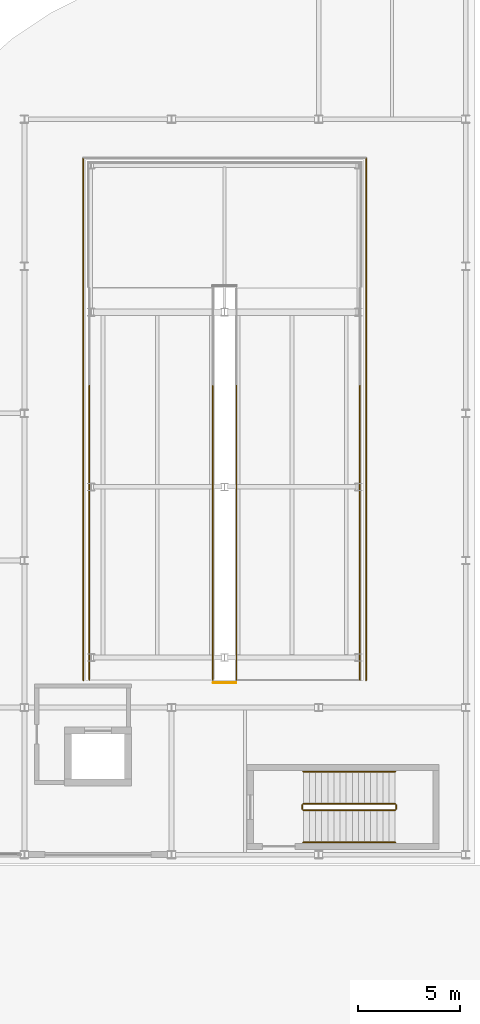
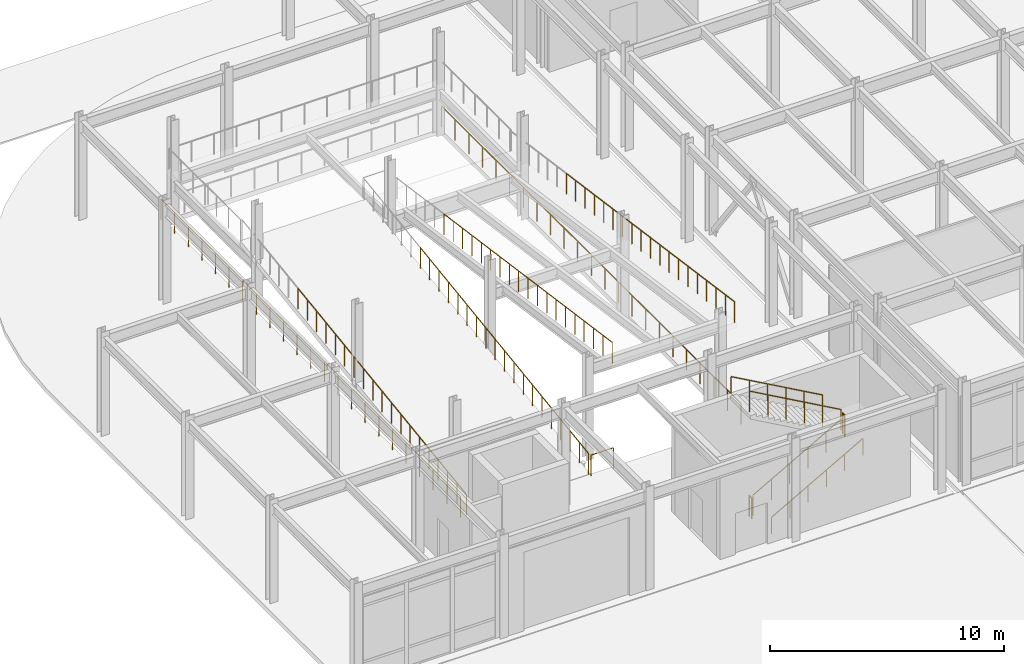
# One storey, part 89 of 104: 21 railings.
"""IFC4 building model written with IfcOpenShell, lengths in metres."""

from ifc_helpers import new_model, si_unit, direction, frame, origin, origin_2d, place, context, subcontext, project, spatial, circle, extrude, material, layer, layer_set, type_object, element, save


model = new_model("IFC4")

# Units and contexts
model_context = context("Model", 3, precision=1e-05, world=origin(), true_north=direction((0.0, 1.0)))
body_context = subcontext(model_context, "Body", "Model", "MODEL_VIEW")
ifc_project = project(units=[si_unit("LENGTHUNIT", "METRE"), si_unit("AREAUNIT", "SQUARE_METRE"), si_unit("VOLUMEUNIT", "CUBIC_METRE"), si_unit("PLANEANGLEUNIT", "RADIAN"), si_unit("MASSUNIT", "GRAM", prefix="KILO")], contexts=[model_context])

# Site, building, storey
site_placement = place(None, origin())
site = spatial("IfcSite", under=ifc_project, at=site_placement, CompositionType="ELEMENT")
building_placement = place(site_placement, origin())
building = spatial("IfcBuilding", under=site, at=building_placement, Name="Vaelcorin Mobility Hub", CompositionType="ELEMENT")
storey_placement = place(building_placement, origin())
storey = spatial("IfcBuildingStorey", under=building, at=storey_placement, Name="L00", CompositionType="ELEMENT", Elevation=0.0)

# Railings
ifc_material_1 = material(Name="Galvanised structural steel ASTM A36", Category="steel")
ifc_layer_1 = layer(ifc_material_1, 0.070068359375)
ifc_layer_set_1 = layer_set([ifc_layer_1], Name="Galvanised structural steel ASTM A36")
railing_type_1 = type_object("IfcRailingType", Name="RL-GUARD-1100", PredefinedType="BALUSTRADE", material=ifc_layer_set_1)
railing_1_placement = place(storey_placement, frame((22.449951171875, 85.219970703125, 0.0)))
element("IfcRailing", 1, at=railing_1_placement, inside=storey, type_object=railing_type_1, Name="L00 Perimeter Guard GR-V2W-L00-WELL-MED-01", PredefinedType="BALUSTRADE", context=body_context, shape_type="SweptSolid", body=[
    extrude(circle(Radius=0.02392578125, at=origin_2d()), frame((0.0, 0.0, 1.076171875), z_axis=(1.0, 0.0, 0.0), x_axis=(0.0, 1.0, 0.0)), (0.0, 0.0, 1.0), 1.10009765625),
    extrude(circle(Radius=0.02099609375, at=origin_2d()), origin(), (0.0, 0.0, 1.0), 1.052001953125),
    extrude(circle(Radius=0.02099609375, at=origin_2d()), frame((1.10009765625, 0.0, 0.0)), (0.0, 0.0, 1.0), 1.052001953125),
])
railing_2_placement = place(storey_placement, frame((16.080078125, 85.340087890625, 0.0)))
element("IfcRailing", 2, at=railing_2_placement, inside=storey, type_object=railing_type_1, Name="L00 Perimeter Guard GR-V2W-L00-WELL-01", PredefinedType="BALUSTRADE", context=body_context, shape_type="SweptSolid", body=[
    extrude(circle(Radius=0.02392578125, at=origin_2d()), frame((0.0, 0.0, 1.076171875), z_axis=(0.0, 1.0, 0.0), x_axis=(-1.0, 0.0, 0.0)), (0.0, 0.0, 1.0), 25.579833984375),
    extrude(circle(Radius=0.02099609375, at=origin_2d()), origin(), (0.0, 0.0, 1.0), 1.052001953125),
    extrude(circle(Radius=0.02099609375, at=origin_2d()), frame((0.0, 1.16259765625, 0.0)), (0.0, 0.0, 1.0), 1.052001953125),
    extrude(circle(Radius=0.02099609375, at=origin_2d()), frame((0.0, 2.325439453125, 0.0)), (0.0, 0.0, 1.0), 1.052001953125),
    extrude(circle(Radius=0.02099609375, at=origin_2d()), frame((0.0, 3.488037109375, 0.0)), (0.0, 0.0, 1.0), 1.052001953125),
    extrude(circle(Radius=0.02099609375, at=origin_2d()), frame((0.0, 4.65087890625, 0.0)), (0.0, 0.0, 1.0), 1.052001953125),
    extrude(circle(Radius=0.02099609375, at=origin_2d()), frame((0.0, 5.8134765625, 0.0)), (0.0, 0.0, 1.0), 1.052001953125),
    extrude(circle(Radius=0.02099609375, at=origin_2d()), frame((0.0, 6.976318359375, 0.0)), (0.0, 0.0, 1.0), 1.052001953125),
    extrude(circle(Radius=0.02099609375, at=origin_2d()), frame((0.0, 8.13916015625, 0.0)), (0.0, 0.0, 1.0), 1.052001953125),
    extrude(circle(Radius=0.02099609375, at=origin_2d()), frame((0.0, 9.3017578125, 0.0)), (0.0, 0.0, 1.0), 1.052001953125),
    extrude(circle(Radius=0.02099609375, at=origin_2d()), frame((0.0, 10.46435546875, 0.0)), (0.0, 0.0, 1.0), 1.052001953125),
    extrude(circle(Radius=0.02099609375, at=origin_2d()), frame((0.0, 11.627197265625, 0.0)), (0.0, 0.0, 1.0), 1.052001953125),
    extrude(circle(Radius=0.02099609375, at=origin_2d()), frame((0.0, 12.7900390625, 0.0)), (0.0, 0.0, 1.0), 1.052001953125),
    extrude(circle(Radius=0.02099609375, at=origin_2d()), frame((0.0, 13.95263671875, 0.0)), (0.0, 0.0, 1.0), 1.052001953125),
    extrude(circle(Radius=0.02099609375, at=origin_2d()), frame((0.0, 15.115234375, 0.0)), (0.0, 0.0, 1.0), 1.052001953125),
    extrude(circle(Radius=0.02099609375, at=origin_2d()), frame((0.0, 16.278076171875, 0.0)), (0.0, 0.0, 1.0), 1.052001953125),
    extrude(circle(Radius=0.02099609375, at=origin_2d()), frame((0.0, 17.44091796875, 0.0)), (0.0, 0.0, 1.0), 1.052001953125),
    extrude(circle(Radius=0.02099609375, at=origin_2d()), frame((0.0, 18.603515625, 0.0)), (0.0, 0.0, 1.0), 1.052001953125),
    extrude(circle(Radius=0.02099609375, at=origin_2d()), frame((0.0, 19.76611328125, 0.0)), (0.0, 0.0, 1.0), 1.052001953125),
    extrude(circle(Radius=0.02099609375, at=origin_2d()), frame((0.0, 20.928955078125, 0.0)), (0.0, 0.0, 1.0), 1.052001953125),
    extrude(circle(Radius=0.02099609375, at=origin_2d()), frame((0.0, 22.091796875, 0.0)), (0.0, 0.0, 1.0), 1.052001953125),
    extrude(circle(Radius=0.02099609375, at=origin_2d()), frame((0.0, 23.25439453125, 0.0)), (0.0, 0.0, 1.0), 1.052001953125),
    extrude(circle(Radius=0.02099609375, at=origin_2d()), frame((0.0, 24.4169921875, 0.0)), (0.0, 0.0, 1.0), 1.052001953125),
    extrude(circle(Radius=0.02099609375, at=origin_2d()), frame((0.0, 25.579833984375, 0.0)), (0.0, 0.0, 1.0), 1.052001953125),
])
railing_3_placement = place(storey_placement, frame((29.919921875, 110.919921875, 0.0)))
element("IfcRailing", 3, at=railing_3_placement, inside=storey, type_object=railing_type_1, Name="L00 Perimeter Guard GR-V2W-L00-WELL-03", PredefinedType="BALUSTRADE", context=body_context, shape_type="SweptSolid", body=[
    extrude(circle(Radius=0.02392578125, at=origin_2d()), frame((0.0, 0.0, 1.076171875), z_axis=(0.0, -1.0, 0.0), x_axis=(1.0, 0.0, 0.0)), (0.0, 0.0, 1.0), 25.579833984375),
    extrude(circle(Radius=0.02099609375, at=origin_2d()), origin(), (0.0, 0.0, 1.0), 1.052001953125),
    extrude(circle(Radius=0.02099609375, at=origin_2d()), frame((0.0, -1.16259765625, 0.0)), (0.0, 0.0, 1.0), 1.052001953125),
    extrude(circle(Radius=0.02099609375, at=origin_2d()), frame((0.0, -2.325439453125, 0.0)), (0.0, 0.0, 1.0), 1.052001953125),
    extrude(circle(Radius=0.02099609375, at=origin_2d()), frame((0.0, -3.488037109375, 0.0)), (0.0, 0.0, 1.0), 1.052001953125),
    extrude(circle(Radius=0.02099609375, at=origin_2d()), frame((0.0, -4.65087890625, 0.0)), (0.0, 0.0, 1.0), 1.052001953125),
    extrude(circle(Radius=0.02099609375, at=origin_2d()), frame((0.0, -5.8134765625, 0.0)), (0.0, 0.0, 1.0), 1.052001953125),
    extrude(circle(Radius=0.02099609375, at=origin_2d()), frame((0.0, -6.976318359375, 0.0)), (0.0, 0.0, 1.0), 1.052001953125),
    extrude(circle(Radius=0.02099609375, at=origin_2d()), frame((0.0, -8.13916015625, 0.0)), (0.0, 0.0, 1.0), 1.052001953125),
    extrude(circle(Radius=0.02099609375, at=origin_2d()), frame((0.0, -9.3017578125, 0.0)), (0.0, 0.0, 1.0), 1.052001953125),
    extrude(circle(Radius=0.02099609375, at=origin_2d()), frame((0.0, -10.46435546875, 0.0)), (0.0, 0.0, 1.0), 1.052001953125),
    extrude(circle(Radius=0.02099609375, at=origin_2d()), frame((0.0, -11.627197265625, 0.0)), (0.0, 0.0, 1.0), 1.052001953125),
    extrude(circle(Radius=0.02099609375, at=origin_2d()), frame((0.0, -12.7900390625, 0.0)), (0.0, 0.0, 1.0), 1.052001953125),
    extrude(circle(Radius=0.02099609375, at=origin_2d()), frame((0.0, -13.95263671875, 0.0)), (0.0, 0.0, 1.0), 1.052001953125),
    extrude(circle(Radius=0.02099609375, at=origin_2d()), frame((0.0, -15.115234375, 0.0)), (0.0, 0.0, 1.0), 1.052001953125),
    extrude(circle(Radius=0.02099609375, at=origin_2d()), frame((0.0, -16.278076171875, 0.0)), (0.0, 0.0, 1.0), 1.052001953125),
    extrude(circle(Radius=0.02099609375, at=origin_2d()), frame((0.0, -17.44091796875, 0.0)), (0.0, 0.0, 1.0), 1.052001953125),
    extrude(circle(Radius=0.02099609375, at=origin_2d()), frame((0.0, -18.603515625, 0.0)), (0.0, 0.0, 1.0), 1.052001953125),
    extrude(circle(Radius=0.02099609375, at=origin_2d()), frame((0.0, -19.76611328125, 0.0)), (0.0, 0.0, 1.0), 1.052001953125),
    extrude(circle(Radius=0.02099609375, at=origin_2d()), frame((0.0, -20.928955078125, 0.0)), (0.0, 0.0, 1.0), 1.052001953125),
    extrude(circle(Radius=0.02099609375, at=origin_2d()), frame((0.0, -22.091796875, 0.0)), (0.0, 0.0, 1.0), 1.052001953125),
    extrude(circle(Radius=0.02099609375, at=origin_2d()), frame((0.0, -23.25439453125, 0.0)), (0.0, 0.0, 1.0), 1.052001953125),
    extrude(circle(Radius=0.02099609375, at=origin_2d()), frame((0.0, -24.4169921875, 0.0)), (0.0, 0.0, 1.0), 1.052001953125),
    extrude(circle(Radius=0.02099609375, at=origin_2d()), frame((0.0, -25.579833984375, 0.0)), (0.0, 0.0, 1.0), 1.052001953125),
])
for number, where, name in (
    (4, (16.3798828125, 85.360107421875, 0.0), "L00 Ramp Guard GR-V2W-L00-FL1-W-01"),
    (5, (16.3798828125, 90.155029296875, 0.675048828125), "L00 Ramp Guard GR-V2W-L00-FL1-W-02"),
):
    element("IfcRailing", number, at=place(storey_placement, frame(where)), inside=storey, type_object=railing_type_1, Name=name, PredefinedType="BALUSTRADE", context=body_context, shape_type="SweptSolid", body=[
        extrude(circle(Radius=0.02392578125, at=origin_2d()), frame((0.0, 0.0, 1.076171875), z_axis=(0.0, 0.990234839535, 0.139409334588), x_axis=(-1.0, 0.0, 0.0)), (0.0, 0.0, 1.0), 4.84228515625),
        extrude(circle(Radius=0.02099609375, at=origin_2d()), origin(), (0.0, 0.0, 1.0), 1.052001953125),
        extrude(circle(Radius=0.02099609375, at=origin_2d()), frame((0.0, 0.799072265625, 0.112548828125)), (0.0, 0.0, 1.0), 1.052001953125),
        extrude(circle(Radius=0.02099609375, at=origin_2d()), frame((0.0, 1.598388671875, 0.22509765625)), (0.0, 0.0, 1.0), 1.052001953125),
        extrude(circle(Radius=0.02099609375, at=origin_2d()), frame((0.0, 2.3974609375, 0.33740234375)), (0.0, 0.0, 1.0), 1.052001953125),
        extrude(circle(Radius=0.02099609375, at=origin_2d()), frame((0.0, 3.196533203125, 0.449951171875)), (0.0, 0.0, 1.0), 1.052001953125),
        extrude(circle(Radius=0.02099609375, at=origin_2d()), frame((0.0, 3.995849609375, 0.5625)), (0.0, 0.0, 1.0), 1.052001953125),
        extrude(circle(Radius=0.02099609375, at=origin_2d()), frame((0.0, 4.794921875, 0.675048828125)), (0.0, 0.0, 1.0), 1.052001953125),
    ])
railing_4_placement = place(storey_placement, frame((16.3798828125, 94.949951171875, 1.35009765625)))
element("IfcRailing", 6, at=railing_4_placement, inside=storey, type_object=railing_type_1, Name="L00 Ramp Guard GR-V2W-L00-FL1-W-03", PredefinedType="BALUSTRADE", context=body_context, shape_type="SweptSolid", body=[
    extrude(circle(Radius=0.02392578125, at=origin_2d()), frame((0.0, 0.0, 1.076171875), z_axis=(0.0, 0.990242777767, 0.139352937108), x_axis=(-1.0, 0.0, 0.0)), (0.0, 0.0, 1.0), 4.842529296875),
    extrude(circle(Radius=0.02099609375, at=origin_2d()), origin(), (0.0, 0.0, 1.0), 1.052001953125),
    extrude(circle(Radius=0.02099609375, at=origin_2d()), frame((0.0, 0.79931640625, 0.112548828125)), (0.0, 0.0, 1.0), 1.052001953125),
    extrude(circle(Radius=0.02099609375, at=origin_2d()), frame((0.0, 1.598388671875, 0.224853515625)), (0.0, 0.0, 1.0), 1.052001953125),
    extrude(circle(Radius=0.02099609375, at=origin_2d()), frame((0.0, 2.3974609375, 0.33740234375)), (0.0, 0.0, 1.0), 1.052001953125),
    extrude(circle(Radius=0.02099609375, at=origin_2d()), frame((0.0, 3.19677734375, 0.449951171875)), (0.0, 0.0, 1.0), 1.052001953125),
    extrude(circle(Radius=0.02099609375, at=origin_2d()), frame((0.0, 3.99609375, 0.562255859375)), (0.0, 0.0, 1.0), 1.052001953125),
    extrude(circle(Radius=0.02099609375, at=origin_2d()), frame((0.0, 4.795166015625, 0.6748046875)), (0.0, 0.0, 1.0), 1.052001953125),
])
for number, where, name in (
    (7, (22.419921875, 85.360107421875, 0.0), "L00 Ramp Guard GR-V2W-L00-FL1-E-01"),
    (8, (22.419921875, 90.155029296875, 0.675048828125), "L00 Ramp Guard GR-V2W-L00-FL1-E-02"),
):
    element("IfcRailing", number, at=place(storey_placement, frame(where)), inside=storey, type_object=railing_type_1, Name=name, PredefinedType="BALUSTRADE", context=body_context, shape_type="SweptSolid", body=[
        extrude(circle(Radius=0.02392578125, at=origin_2d()), frame((0.0, 0.0, 1.076171875), z_axis=(0.0, 0.990234839535, 0.139409334588), x_axis=(-1.0, 0.0, 0.0)), (0.0, 0.0, 1.0), 4.84228515625),
        extrude(circle(Radius=0.02099609375, at=origin_2d()), origin(), (0.0, 0.0, 1.0), 1.052001953125),
        extrude(circle(Radius=0.02099609375, at=origin_2d()), frame((0.0, 0.799072265625, 0.112548828125)), (0.0, 0.0, 1.0), 1.052001953125),
        extrude(circle(Radius=0.02099609375, at=origin_2d()), frame((0.0, 1.598388671875, 0.22509765625)), (0.0, 0.0, 1.0), 1.052001953125),
        extrude(circle(Radius=0.02099609375, at=origin_2d()), frame((0.0, 2.3974609375, 0.33740234375)), (0.0, 0.0, 1.0), 1.052001953125),
        extrude(circle(Radius=0.02099609375, at=origin_2d()), frame((0.0, 3.196533203125, 0.449951171875)), (0.0, 0.0, 1.0), 1.052001953125),
        extrude(circle(Radius=0.02099609375, at=origin_2d()), frame((0.0, 3.995849609375, 0.5625)), (0.0, 0.0, 1.0), 1.052001953125),
        extrude(circle(Radius=0.02099609375, at=origin_2d()), frame((0.0, 4.794921875, 0.675048828125)), (0.0, 0.0, 1.0), 1.052001953125),
    ])
railing_5_placement = place(storey_placement, frame((22.419921875, 94.949951171875, 1.35009765625)))
element("IfcRailing", 9, at=railing_5_placement, inside=storey, type_object=railing_type_1, Name="L00 Ramp Guard GR-V2W-L00-FL1-E-03", PredefinedType="BALUSTRADE", context=body_context, shape_type="SweptSolid", body=[
    extrude(circle(Radius=0.02392578125, at=origin_2d()), frame((0.0, 0.0, 1.076171875), z_axis=(0.0, 0.990242777767, 0.139352937108), x_axis=(-1.0, 0.0, 0.0)), (0.0, 0.0, 1.0), 4.842529296875),
    extrude(circle(Radius=0.02099609375, at=origin_2d()), origin(), (0.0, 0.0, 1.0), 1.052001953125),
    extrude(circle(Radius=0.02099609375, at=origin_2d()), frame((0.0, 0.79931640625, 0.112548828125)), (0.0, 0.0, 1.0), 1.052001953125),
    extrude(circle(Radius=0.02099609375, at=origin_2d()), frame((0.0, 1.598388671875, 0.224853515625)), (0.0, 0.0, 1.0), 1.052001953125),
    extrude(circle(Radius=0.02099609375, at=origin_2d()), frame((0.0, 2.3974609375, 0.33740234375)), (0.0, 0.0, 1.0), 1.052001953125),
    extrude(circle(Radius=0.02099609375, at=origin_2d()), frame((0.0, 3.19677734375, 0.449951171875)), (0.0, 0.0, 1.0), 1.052001953125),
    extrude(circle(Radius=0.02099609375, at=origin_2d()), frame((0.0, 3.99609375, 0.562255859375)), (0.0, 0.0, 1.0), 1.052001953125),
    extrude(circle(Radius=0.02099609375, at=origin_2d()), frame((0.0, 4.795166015625, 0.6748046875)), (0.0, 0.0, 1.0), 1.052001953125),
])
railing_6_placement = place(storey_placement, frame((23.580078125, 99.7451171875, 3.375)))
element("IfcRailing", 10, at=railing_6_placement, inside=storey, type_object=railing_type_1, Name="L00 Ramp Guard GR-V2W-L00-FL2-W-02", PredefinedType="BALUSTRADE", context=body_context, shape_type="SweptSolid", body=[
    extrude(circle(Radius=0.02392578125, at=origin_2d()), frame((0.0, 0.0, 1.076171875), z_axis=(0.0, -0.990235819359, 0.139402374651), x_axis=(1.0, 0.0, 0.0)), (0.0, 0.0, 1.0), 4.842529296875),
    extrude(circle(Radius=0.02099609375, at=origin_2d()), origin(), (0.0, 0.0, 1.0), 1.052001953125),
    extrude(circle(Radius=0.02099609375, at=origin_2d()), frame((0.0, -0.79931640625, 0.112548828125)), (0.0, 0.0, 1.0), 1.052001953125),
    extrude(circle(Radius=0.02099609375, at=origin_2d()), frame((0.0, -1.598388671875, 0.22509765625)), (0.0, 0.0, 1.0), 1.052001953125),
    extrude(circle(Radius=0.02099609375, at=origin_2d()), frame((0.0, -2.3974609375, 0.33740234375)), (0.0, 0.0, 1.0), 1.052001953125),
    extrude(circle(Radius=0.02099609375, at=origin_2d()), frame((0.0, -3.19677734375, 0.449951171875)), (0.0, 0.0, 1.0), 1.052001953125),
    extrude(circle(Radius=0.02099609375, at=origin_2d()), frame((0.0, -3.99609375, 0.5625)), (0.0, 0.0, 1.0), 1.052001953125),
    extrude(circle(Radius=0.02099609375, at=origin_2d()), frame((0.0, -4.795166015625, 0.675048828125)), (0.0, 0.0, 1.0), 1.052001953125),
])
railing_7_placement = place(storey_placement, frame((23.580078125, 94.949951171875, 4.050048828125)))
element("IfcRailing", 11, at=railing_7_placement, inside=storey, type_object=railing_type_1, Name="L00 Ramp Guard GR-V2W-L00-FL2-W-03", PredefinedType="BALUSTRADE", context=body_context, shape_type="SweptSolid", body=[
    extrude(circle(Radius=0.02392578125, at=origin_2d()), frame((0.0, 0.0, 1.076171875), z_axis=(0.0, -0.990234839535, 0.139409334588), x_axis=(1.0, 0.0, 0.0)), (0.0, 0.0, 1.0), 4.84228515625),
    extrude(circle(Radius=0.02099609375, at=origin_2d()), origin(), (0.0, 0.0, 1.0), 1.052001953125),
    extrude(circle(Radius=0.02099609375, at=origin_2d()), frame((0.0, -0.799072265625, 0.112548828125)), (0.0, 0.0, 1.0), 1.052001953125),
    extrude(circle(Radius=0.02099609375, at=origin_2d()), frame((0.0, -1.598388671875, 0.22509765625)), (0.0, 0.0, 1.0), 1.052001953125),
    extrude(circle(Radius=0.02099609375, at=origin_2d()), frame((0.0, -2.3974609375, 0.33740234375)), (0.0, 0.0, 1.0), 1.052001953125),
    extrude(circle(Radius=0.02099609375, at=origin_2d()), frame((0.0, -3.196533203125, 0.449951171875)), (0.0, 0.0, 1.0), 1.052001953125),
    extrude(circle(Radius=0.02099609375, at=origin_2d()), frame((0.0, -3.995849609375, 0.5625)), (0.0, 0.0, 1.0), 1.052001953125),
    extrude(circle(Radius=0.02099609375, at=origin_2d()), frame((0.0, -4.794921875, 0.675048828125)), (0.0, 0.0, 1.0), 1.052001953125),
])
railing_8_placement = place(storey_placement, frame((23.580078125, 90.155029296875, 4.72509765625)))
element("IfcRailing", 12, at=railing_8_placement, inside=storey, type_object=railing_type_1, Name="L00 Ramp Guard GR-V2W-L00-FL2-W-04", PredefinedType="BALUSTRADE", context=body_context, shape_type="SweptSolid", body=[
    extrude(circle(Radius=0.02392578125, at=origin_2d()), frame((0.0, 0.0, 1.076171875), z_axis=(0.0, -0.990241798631, 0.139359894675), x_axis=(1.0, 0.0, 0.0)), (0.0, 0.0, 1.0), 4.84228515625),
    extrude(circle(Radius=0.02099609375, at=origin_2d()), origin(), (0.0, 0.0, 1.0), 1.052001953125),
    extrude(circle(Radius=0.02099609375, at=origin_2d()), frame((0.0, -0.799072265625, 0.112548828125)), (0.0, 0.0, 1.0), 1.052001953125),
    extrude(circle(Radius=0.02099609375, at=origin_2d()), frame((0.0, -1.598388671875, 0.224853515625)), (0.0, 0.0, 1.0), 1.052001953125),
    extrude(circle(Radius=0.02099609375, at=origin_2d()), frame((0.0, -2.3974609375, 0.33740234375)), (0.0, 0.0, 1.0), 1.052001953125),
    extrude(circle(Radius=0.02099609375, at=origin_2d()), frame((0.0, -3.196533203125, 0.449951171875)), (0.0, 0.0, 1.0), 1.052001953125),
    extrude(circle(Radius=0.02099609375, at=origin_2d()), frame((0.0, -3.995849609375, 0.562255859375)), (0.0, 0.0, 1.0), 1.052001953125),
    extrude(circle(Radius=0.02099609375, at=origin_2d()), frame((0.0, -4.794921875, 0.6748046875)), (0.0, 0.0, 1.0), 1.052001953125),
])
railing_9_placement = place(storey_placement, frame((29.6201171875, 99.7451171875, 3.375)))
element("IfcRailing", 13, at=railing_9_placement, inside=storey, type_object=railing_type_1, Name="L00 Ramp Guard GR-V2W-L00-FL2-E-02", PredefinedType="BALUSTRADE", context=body_context, shape_type="SweptSolid", body=[
    extrude(circle(Radius=0.02392578125, at=origin_2d()), frame((0.0, 0.0, 1.076171875), z_axis=(0.0, -0.990235819359, 0.139402374651), x_axis=(1.0, 0.0, 0.0)), (0.0, 0.0, 1.0), 4.842529296875),
    extrude(circle(Radius=0.02099609375, at=origin_2d()), origin(), (0.0, 0.0, 1.0), 1.052001953125),
    extrude(circle(Radius=0.02099609375, at=origin_2d()), frame((0.0, -0.79931640625, 0.112548828125)), (0.0, 0.0, 1.0), 1.052001953125),
    extrude(circle(Radius=0.02099609375, at=origin_2d()), frame((0.0, -1.598388671875, 0.22509765625)), (0.0, 0.0, 1.0), 1.052001953125),
    extrude(circle(Radius=0.02099609375, at=origin_2d()), frame((0.0, -2.3974609375, 0.33740234375)), (0.0, 0.0, 1.0), 1.052001953125),
    extrude(circle(Radius=0.02099609375, at=origin_2d()), frame((0.0, -3.19677734375, 0.449951171875)), (0.0, 0.0, 1.0), 1.052001953125),
    extrude(circle(Radius=0.02099609375, at=origin_2d()), frame((0.0, -3.99609375, 0.5625)), (0.0, 0.0, 1.0), 1.052001953125),
    extrude(circle(Radius=0.02099609375, at=origin_2d()), frame((0.0, -4.795166015625, 0.675048828125)), (0.0, 0.0, 1.0), 1.052001953125),
])
railing_10_placement = place(storey_placement, frame((29.6201171875, 94.949951171875, 4.050048828125)))
element("IfcRailing", 14, at=railing_10_placement, inside=storey, type_object=railing_type_1, Name="L00 Ramp Guard GR-V2W-L00-FL2-E-03", PredefinedType="BALUSTRADE", context=body_context, shape_type="SweptSolid", body=[
    extrude(circle(Radius=0.02392578125, at=origin_2d()), frame((0.0, 0.0, 1.076171875), z_axis=(0.0, -0.990234839535, 0.139409334588), x_axis=(1.0, 0.0, 0.0)), (0.0, 0.0, 1.0), 4.84228515625),
    extrude(circle(Radius=0.02099609375, at=origin_2d()), origin(), (0.0, 0.0, 1.0), 1.052001953125),
    extrude(circle(Radius=0.02099609375, at=origin_2d()), frame((0.0, -0.799072265625, 0.112548828125)), (0.0, 0.0, 1.0), 1.052001953125),
    extrude(circle(Radius=0.02099609375, at=origin_2d()), frame((0.0, -1.598388671875, 0.22509765625)), (0.0, 0.0, 1.0), 1.052001953125),
    extrude(circle(Radius=0.02099609375, at=origin_2d()), frame((0.0, -2.3974609375, 0.33740234375)), (0.0, 0.0, 1.0), 1.052001953125),
    extrude(circle(Radius=0.02099609375, at=origin_2d()), frame((0.0, -3.196533203125, 0.449951171875)), (0.0, 0.0, 1.0), 1.052001953125),
    extrude(circle(Radius=0.02099609375, at=origin_2d()), frame((0.0, -3.995849609375, 0.5625)), (0.0, 0.0, 1.0), 1.052001953125),
    extrude(circle(Radius=0.02099609375, at=origin_2d()), frame((0.0, -4.794921875, 0.675048828125)), (0.0, 0.0, 1.0), 1.052001953125),
])
railing_11_placement = place(storey_placement, frame((29.6201171875, 90.155029296875, 4.72509765625)))
element("IfcRailing", 15, at=railing_11_placement, inside=storey, type_object=railing_type_1, Name="L00 Ramp Guard GR-V2W-L00-FL2-E-04", PredefinedType="BALUSTRADE", context=body_context, shape_type="SweptSolid", body=[
    extrude(circle(Radius=0.02392578125, at=origin_2d()), frame((0.0, 0.0, 1.076171875), z_axis=(0.0, -0.990241798631, 0.139359894675), x_axis=(1.0, 0.0, 0.0)), (0.0, 0.0, 1.0), 4.84228515625),
    extrude(circle(Radius=0.02099609375, at=origin_2d()), origin(), (0.0, 0.0, 1.0), 1.052001953125),
    extrude(circle(Radius=0.02099609375, at=origin_2d()), frame((0.0, -0.799072265625, 0.112548828125)), (0.0, 0.0, 1.0), 1.052001953125),
    extrude(circle(Radius=0.02099609375, at=origin_2d()), frame((0.0, -1.598388671875, 0.224853515625)), (0.0, 0.0, 1.0), 1.052001953125),
    extrude(circle(Radius=0.02099609375, at=origin_2d()), frame((0.0, -2.3974609375, 0.33740234375)), (0.0, 0.0, 1.0), 1.052001953125),
    extrude(circle(Radius=0.02099609375, at=origin_2d()), frame((0.0, -3.196533203125, 0.449951171875)), (0.0, 0.0, 1.0), 1.052001953125),
    extrude(circle(Radius=0.02099609375, at=origin_2d()), frame((0.0, -3.995849609375, 0.562255859375)), (0.0, 0.0, 1.0), 1.052001953125),
    extrude(circle(Radius=0.02099609375, at=origin_2d()), frame((0.0, -4.794921875, 0.6748046875)), (0.0, 0.0, 1.0), 1.052001953125),
])
ifc_material_2 = material(Name="Brushed stainless steel 316L", Category="steel")
ifc_layer_2 = layer(ifc_material_2, 0.048095703125)
ifc_layer_set_2 = layer_set([ifc_layer_2], Name="Brushed stainless steel 316L")
railing_type_2 = type_object("IfcRailingType", Name="RL-STAIR-GRD", PredefinedType="GUARDRAIL", material=ifc_layer_set_2)
railing_12_placement = place(storey_placement, frame((26.85009765625, 78.97998046875, 0.168701171875)))
element("IfcRailing", 16, at=railing_12_placement, inside=storey, type_object=railing_type_2, Name="L00 ST1 stair guard 1", PredefinedType="GUARDRAIL", context=body_context, shape_type="SweptSolid", body=[
    extrude(circle(Radius=0.02392578125, at=origin_2d()), frame((0.0, 0.0, 1.076171875), z_axis=(0.871575537125, 0.0, 0.490261239633), x_axis=(0.0, 1.0, 0.0)), (0.0, 0.0, 1.0), 5.1630859375),
    extrude(circle(Radius=0.02099609375, at=origin_2d()), origin(), (0.0, 0.0, 1.0), 1.052001953125),
    extrude(circle(Radius=0.02099609375, at=origin_2d()), frame((0.89990234375, 0.0, 0.50634765625)), (0.0, 0.0, 1.0), 1.052001953125),
    extrude(circle(Radius=0.02099609375, at=origin_2d()), frame((1.800048828125, 0.0, 1.012451171875)), (0.0, 0.0, 1.0), 1.052001953125),
    extrude(circle(Radius=0.02099609375, at=origin_2d()), frame((2.699951171875, 0.0, 1.518798828125)), (0.0, 0.0, 1.0), 1.052001953125),
    extrude(circle(Radius=0.02099609375, at=origin_2d()), frame((3.60009765625, 0.0, 2.02490234375)), (0.0, 0.0, 1.0), 1.052001953125),
    extrude(circle(Radius=0.02099609375, at=origin_2d()), frame((4.5, 0.0, 2.53125)), (0.0, 0.0, 1.0), 1.052001953125),
])
railing_13_placement = place(storey_placement, frame((31.39990234375, 79.030029296875, 2.699951171875)))
element("IfcRailing", 17, at=railing_13_placement, inside=storey, type_object=railing_type_2, Name="L00 ST1 stair guard 2", PredefinedType="GUARDRAIL", context=body_context, shape_type="SweptSolid", body=[
    extrude(circle(Radius=0.02392578125, at=origin_2d()), frame((0.0, 0.0, 1.076171875), z_axis=(0.0, 1.0, 0.0), x_axis=(-1.0, 0.0, 0.0)), (0.0, 0.0, 1.0), 0.199951171875),
    extrude(circle(Radius=0.02099609375, at=origin_2d()), origin(), (0.0, 0.0, 1.0), 1.052001953125),
    extrude(circle(Radius=0.02099609375, at=origin_2d()), frame((0.0, 0.199951171875, 0.0)), (0.0, 0.0, 1.0), 1.052001953125),
])
railing_14_placement = place(storey_placement, frame((31.35009765625, 79.280029296875, 2.86865234375)))
element("IfcRailing", 18, at=railing_14_placement, inside=storey, type_object=railing_type_2, Name="L00 ST1 stair guard 3", PredefinedType="GUARDRAIL", context=body_context, shape_type="SweptSolid", body=[
    extrude(circle(Radius=0.02392578125, at=origin_2d()), frame((0.0, 0.0, 1.076171875), z_axis=(-0.871575537125, 0.0, 0.490261239633), x_axis=(0.0, -1.0, 0.0)), (0.0, 0.0, 1.0), 5.1630859375),
    extrude(circle(Radius=0.02099609375, at=origin_2d()), origin(), (0.0, 0.0, 1.0), 1.052001953125),
    extrude(circle(Radius=0.02099609375, at=origin_2d()), frame((-0.89990234375, 0.0, 0.50634765625)), (0.0, 0.0, 1.0), 1.052001953125),
    extrude(circle(Radius=0.02099609375, at=origin_2d()), frame((-1.800048828125, 0.0, 1.012451171875)), (0.0, 0.0, 1.0), 1.052001953125),
    extrude(circle(Radius=0.02099609375, at=origin_2d()), frame((-2.699951171875, 0.0, 1.518798828125)), (0.0, 0.0, 1.0), 1.052001953125),
    extrude(circle(Radius=0.02099609375, at=origin_2d()), frame((-3.60009765625, 0.0, 2.02490234375)), (0.0, 0.0, 1.0), 1.052001953125),
    extrude(circle(Radius=0.02099609375, at=origin_2d()), frame((-4.5, 0.0, 2.53125)), (0.0, 0.0, 1.0), 1.052001953125),
])
railing_15_placement = place(storey_placement, frame((26.800048828125, 79.030029296875, 0.0)))
element("IfcRailing", 19, at=railing_15_placement, inside=storey, type_object=railing_type_2, Name="L00 ST1 stair guard 4", PredefinedType="GUARDRAIL", context=body_context, shape_type="SweptSolid", body=[
    extrude(circle(Radius=0.02392578125, at=origin_2d()), frame((0.0, 0.0, 1.076171875), z_axis=(0.0, 1.0, 0.0), x_axis=(-1.0, 0.0, 0.0)), (0.0, 0.0, 1.0), 0.199951171875),
    extrude(circle(Radius=0.02099609375, at=origin_2d()), origin(), (0.0, 0.0, 1.0), 1.052001953125),
    extrude(circle(Radius=0.02099609375, at=origin_2d()), frame((0.0, 0.199951171875, 0.0)), (0.0, 0.0, 1.0), 1.052001953125),
])
ifc_layer_3 = layer(ifc_material_2, 0.048095703125)
ifc_layer_set_3 = layer_set([ifc_layer_3], Name="Brushed stainless steel 316L")
railing_type_3 = type_object("IfcRailingType", Name="RL-STAIR-HR", PredefinedType="HANDRAIL", material=ifc_layer_set_3)
railing_16_placement = place(storey_placement, frame((26.85009765625, 77.39990234375, 0.168701171875)))
element("IfcRailing", 20, at=railing_16_placement, inside=storey, type_object=railing_type_3, Name="L00 ST1 stair handrail 1", PredefinedType="HANDRAIL", context=body_context, shape_type="SweptSolid", body=[
    extrude(circle(Radius=0.02392578125, at=origin_2d()), frame((0.0, 0.0, 0.8759765625), z_axis=(0.871575537125, 0.0, 0.490261239633), x_axis=(0.0, 1.0, 0.0)), (0.0, 0.0, 1.0), 5.1630859375),
    extrude(circle(Radius=0.02099609375, at=origin_2d()), origin(), (0.0, 0.0, 1.0), 0.851806640625),
    extrude(circle(Radius=0.02099609375, at=origin_2d()), frame((0.89990234375, 0.0, 0.50634765625)), (0.0, 0.0, 1.0), 0.851806640625),
    extrude(circle(Radius=0.02099609375, at=origin_2d()), frame((1.800048828125, 0.0, 1.012451171875)), (0.0, 0.0, 1.0), 0.851806640625),
    extrude(circle(Radius=0.02099609375, at=origin_2d()), frame((2.699951171875, 0.0, 1.518798828125)), (0.0, 0.0, 1.0), 0.851806640625),
    extrude(circle(Radius=0.02099609375, at=origin_2d()), frame((3.60009765625, 0.0, 2.02490234375)), (0.0, 0.0, 1.0), 0.851806640625),
    extrude(circle(Radius=0.02099609375, at=origin_2d()), frame((4.5, 0.0, 2.53125)), (0.0, 0.0, 1.0), 0.851806640625),
])
railing_17_placement = place(storey_placement, frame((31.35009765625, 80.860107421875, 2.86865234375)))
element("IfcRailing", 21, at=railing_17_placement, inside=storey, type_object=railing_type_3, Name="L00 ST1 stair handrail 2", PredefinedType="HANDRAIL", context=body_context, shape_type="SweptSolid", body=[
    extrude(circle(Radius=0.02392578125, at=origin_2d()), frame((0.0, 0.0, 0.8759765625), z_axis=(-0.871575537125, 0.0, 0.490261239633), x_axis=(0.0, -1.0, 0.0)), (0.0, 0.0, 1.0), 5.1630859375),
    extrude(circle(Radius=0.02099609375, at=origin_2d()), origin(), (0.0, 0.0, 1.0), 0.851806640625),
    extrude(circle(Radius=0.02099609375, at=origin_2d()), frame((-0.89990234375, 0.0, 0.50634765625)), (0.0, 0.0, 1.0), 0.851806640625),
    extrude(circle(Radius=0.02099609375, at=origin_2d()), frame((-1.800048828125, 0.0, 1.012451171875)), (0.0, 0.0, 1.0), 0.851806640625),
    extrude(circle(Radius=0.02099609375, at=origin_2d()), frame((-2.699951171875, 0.0, 1.518798828125)), (0.0, 0.0, 1.0), 0.851806640625),
    extrude(circle(Radius=0.02099609375, at=origin_2d()), frame((-3.60009765625, 0.0, 2.02490234375)), (0.0, 0.0, 1.0), 0.851806640625),
    extrude(circle(Radius=0.02099609375, at=origin_2d()), frame((-4.5, 0.0, 2.53125)), (0.0, 0.0, 1.0), 0.851806640625),
])

save(model, "model.ifc")
